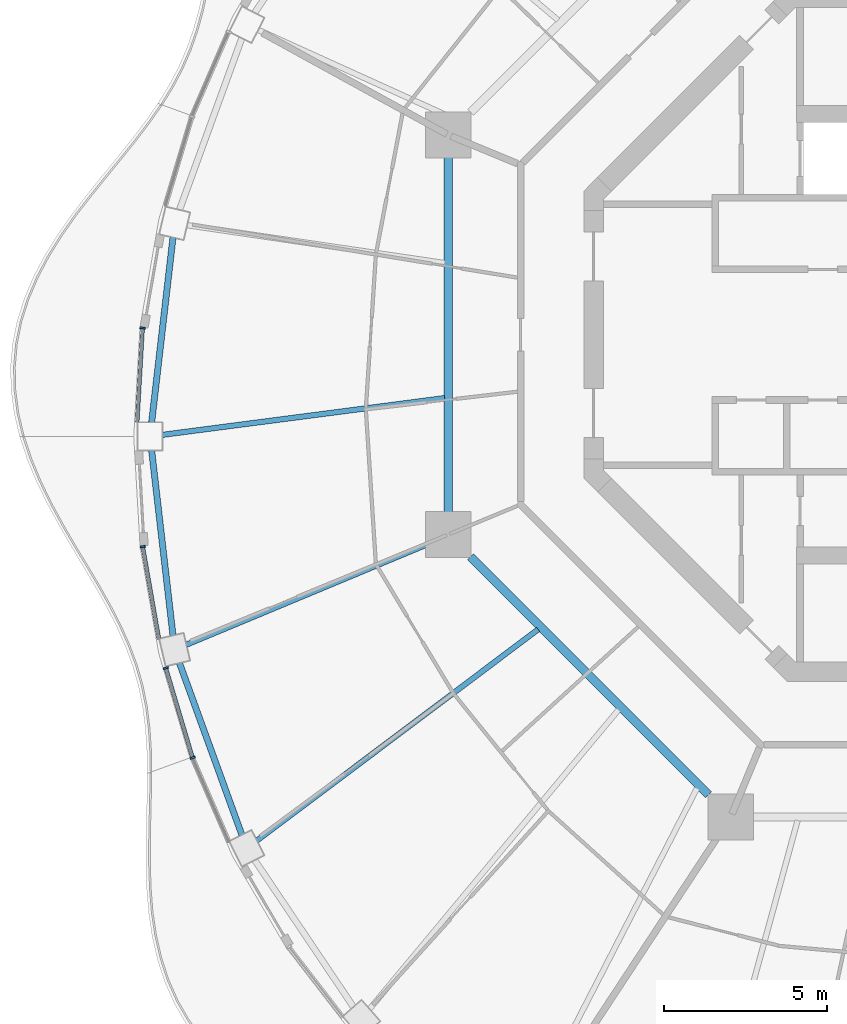
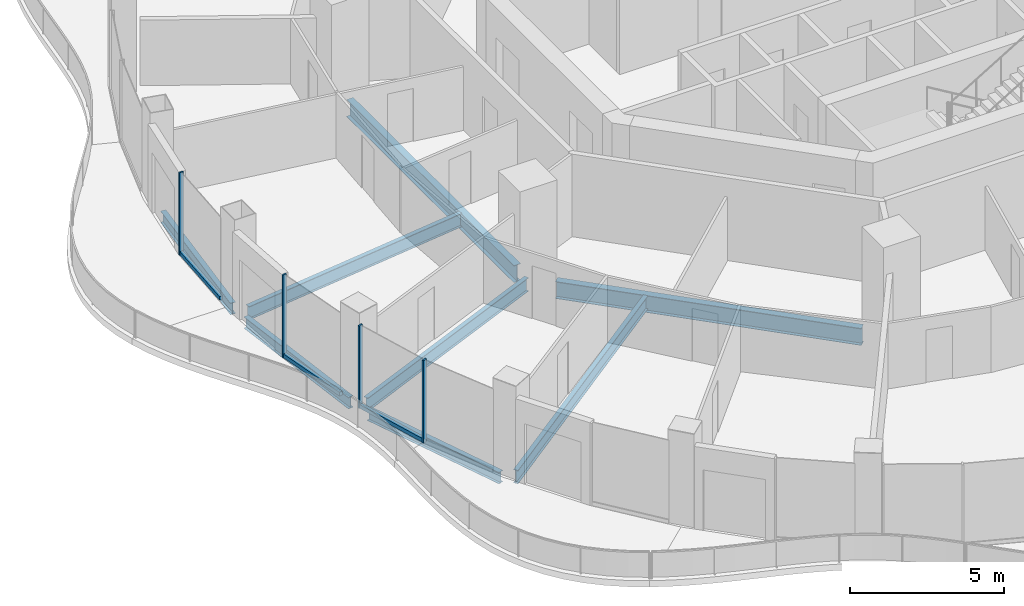
# One storey, part 3 of 17: 8 beams, 7 members, 4 elements without a shape of their own.
"""IFC4 building model written with IfcOpenShell, lengths in metres."""

from ifc_helpers import new_model, si_unit, direction, frame, origin, origin_2d, place, context, subcontext, project, spatial, rectangle, i_section, extrude, material, layer, layer_set, material_profile, profile_set, type_object, element, aggregate, save


model = new_model("IFC4")

# Units and contexts
model_context = context("Model", 3, precision=1e-05, world=origin(), true_north=direction((0.0, 1.0)))
body_context = subcontext(model_context, "Body", "Model", "MODEL_VIEW")
ifc_project = project(units=[si_unit("LENGTHUNIT", "METRE"), si_unit("AREAUNIT", "SQUARE_METRE"), si_unit("VOLUMEUNIT", "CUBIC_METRE"), si_unit("PLANEANGLEUNIT", "RADIAN"), si_unit("MASSUNIT", "GRAM", prefix="KILO")], contexts=[model_context])

# Site, building, storey
site_placement = place(None, origin())
site = spatial("IfcSite", under=ifc_project, at=site_placement, CompositionType="ELEMENT")
building_placement = place(site_placement, origin())
building = spatial("IfcBuilding", under=site, at=building_placement, Name="Nagisa Residences", CompositionType="ELEMENT")
storey_placement = place(building_placement, frame((0.0, 0.0, 295.5)))
storey = spatial("IfcBuildingStorey", under=building, at=storey_placement, Name="L75", CompositionType="ELEMENT", Elevation=295.5)

# Curtain wall, member
ifc_material_1 = material(Name="Concrete-coloured aluminium curtain wall system", Category="concrete")
ifc_layer = layer(ifc_material_1, 0.159912109375)
ifc_layer_set = layer_set([ifc_layer], Name="CW1 CURTAIN WALL")
curtain_wall_type = type_object("IfcCurtainWallType", Name="CW1 CURTAIN WALL", PredefinedType="NOTDEFINED", material=ifc_layer_set)
curtain_wall_1_placement = place(storey_placement, origin())
curtain_wall_1 = element("IfcCurtainWall", 1, at=curtain_wall_1_placement, inside=storey, type_object=curtain_wall_type, Name="cw:CW1:L75:23", PredefinedType="NOTDEFINED")
ifc_material_2 = material(Name="Concrete-coloured aluminium", Category="concrete")
ifc_material_profile_1 = material_profile(ifc_material_2, rectangle(XDim=0.159912109375, YDim=0.06005859375, at=origin_2d()), Name="CW1 MULLION 160x60")
ifc_profile_set_1 = profile_set([ifc_material_profile_1], Name="Concrete-coloured aluminium")
member_type_1 = type_object("IfcMemberType", Name="CW1 MULLION 160x60", PredefinedType="MULLION", material=ifc_profile_set_1)
member_1_placement = place(storey_placement, frame((-24.1484375, 0.20751953125, 0.0), z_axis=(0.0, 0.0, 1.0), x_axis=(0.998345305184, -0.057503492216, 0.0)))
member_1 = element("IfcMember", 2, at=member_1_placement, type_object=member_type_1, Name="CW1 mullion", PredefinedType="MULLION", context=body_context, shape_type="SweptSolid", body=[
    extrude(rectangle(XDim=0.159912109375, YDim=0.06005859375, at=origin_2d()), origin(), (0.0, 0.0, 1.0), 3.280029296875),
])

curtain_wall_2_placement = place(storey_placement, origin())
curtain_wall_2 = element("IfcCurtainWall", 3, at=curtain_wall_2_placement, inside=storey, type_object=curtain_wall_type, Name="cw:CW1:L75:25", PredefinedType="NOTDEFINED")
member_2_placement = place(storey_placement, frame((-24.142578125, -6.4931640625, 0.0), z_axis=(0.0, 0.0, 1.0), x_axis=(0.985063604377, 0.172190868898, 0.0)))
member_2 = element("IfcMember", 4, at=member_2_placement, type_object=member_type_1, Name="CW1 mullion", PredefinedType="MULLION", context=body_context, shape_type="SweptSolid", body=[
    extrude(rectangle(XDim=0.159912109375, YDim=0.06005859375, at=origin_2d()), origin(), (0.0, 0.0, 1.0), 3.280029296875),
])

curtain_wall_3_placement = place(storey_placement, origin())
curtain_wall_3 = element("IfcCurtainWall", 5, at=curtain_wall_3_placement, inside=storey, type_object=curtain_wall_type, Name="cw:CW1:L75:26", PredefinedType="NOTDEFINED")
member_3_placement = place(storey_placement, frame((-23.435302734375, -10.216796875, 0.0), z_axis=(0.0, 0.0, 1.0), x_axis=(0.958271310082, 0.285860274038, 0.0)))
member_3 = element("IfcMember", 6, at=member_3_placement, type_object=member_type_1, Name="CW1 mullion", PredefinedType="MULLION", context=body_context, shape_type="SweptSolid", body=[
    extrude(rectangle(XDim=0.159912109375, YDim=0.06005859375, at=origin_2d()), origin(), (0.0, 0.0, 1.0), 3.280029296875),
])

curtain_wall_4_placement = place(storey_placement, origin())
curtain_wall_4 = element("IfcCurtainWall", 7, at=curtain_wall_4_placement, inside=storey, type_object=curtain_wall_type, Name="cw:CW1:L75:27", PredefinedType="NOTDEFINED")
member_4_placement = place(storey_placement, frame((-22.61279296875, -12.963623046875, 0.0), z_axis=(0.0, 0.0, 1.0), x_axis=(0.917543276295, 0.397635934147, 0.0)))
member_4 = element("IfcMember", 8, at=member_4_placement, type_object=member_type_1, Name="CW1 mullion", PredefinedType="MULLION", context=body_context, shape_type="SweptSolid", body=[
    extrude(rectangle(XDim=0.159912109375, YDim=0.06005859375, at=origin_2d()), origin(), (0.0, 0.0, 1.0), 3.280029296875),
])
aggregate(curtain_wall_4, [member_4])

# Member
ifc_material_3 = material(Name="Concrete-coloured aluminium", Category="concrete")
ifc_material_profile_2 = material_profile(ifc_material_3, rectangle(XDim=0.1201171875, YDim=0.14990234375, at=origin_2d()), Name="CW1 TRANSOM 120x150")
ifc_profile_set_2 = profile_set([ifc_material_profile_2], Name="Concrete-coloured aluminium")
member_type_2 = type_object("IfcMemberType", Name="CW1 TRANSOM 120x150", PredefinedType="USERDEFINED", material=ifc_profile_set_2)
member_5_placement = place(storey_placement, frame((-24.146728515625, 0.237548828125, 0.074951171875), z_axis=(-0.057445660401, -0.998348634547, 0.0), x_axis=(0.998348634547, -0.057445660401, 0.0)))
member_5 = element("IfcMember", 9, at=member_5_placement, type_object=member_type_2, Name="CW1 transom", ObjectType="TRANSOM", PredefinedType="USERDEFINED", context=body_context, shape_type="SweptSolid", body=[
    extrude(rectangle(XDim=0.1201171875, YDim=0.14990234375, at=origin_2d()), origin(), (0.0, 0.0, 1.0), 2.91552734375),
])

aggregate(curtain_wall_1, [member_1, member_5])

member_6_placement = place(storey_placement, frame((-24.147705078125, -6.463623046875, 0.074951171875), z_axis=(0.172182411767, -0.985065082661, 0.0), x_axis=(0.985065082661, 0.172182411767, 0.0)))
member_6 = element("IfcMember", 10, at=member_6_placement, type_object=member_type_2, Name="CW1 transom", ObjectType="TRANSOM", PredefinedType="USERDEFINED", context=body_context, shape_type="SweptSolid", body=[
    extrude(rectangle(XDim=0.1201171875, YDim=0.14990234375, at=origin_2d()), origin(), (0.0, 0.0, 1.0), 2.902587890625),
])

aggregate(curtain_wall_2, [member_2, member_6])

member_7_placement = place(storey_placement, frame((-23.44384765625, -10.18798828125, 0.074951171875), z_axis=(0.285798286059, -0.958289799427, 0.0), x_axis=(0.958289799427, 0.285798286059, 0.0)))
member_7 = element("IfcMember", 11, at=member_7_placement, type_object=member_type_2, Name="CW1 transom", ObjectType="TRANSOM", PredefinedType="USERDEFINED", context=body_context, shape_type="SweptSolid", body=[
    extrude(rectangle(XDim=0.1201171875, YDim=0.14990234375, at=origin_2d()), origin(), (0.0, 0.0, 1.0), 2.877197265625),
])

aggregate(curtain_wall_3, [member_3, member_7])

# Beams
ifc_material_4 = material(Name="Steel ASTM A572 Gr 50", Category="steel")
ifc_material_profile_3 = material_profile(ifc_material_4, i_section(OverallWidth=0.2529296875, OverallDepth=0.677978515625, WebThickness=0.01171875, FlangeThickness=0.016357421875, at=origin_2d()), Name="W690x125")
ifc_profile_set_3 = profile_set([ifc_material_profile_3], Name="Steel ASTM A572 Gr 50")
beam_type_1 = type_object("IfcBeamType", Name="Inner ring beam W690x125", PredefinedType="BEAM", material=ifc_profile_set_3)
beam_1_placement = place(storey_placement, frame((-14.781982421875, 5.44287109375, -0.59912109375), z_axis=(0.0, -1.0, 0.0), x_axis=(1.0, 0.0, 0.0)))
element("IfcBeam", 12, at=beam_1_placement, inside=storey, type_object=beam_type_1, Name="beam:L75:ib4", PredefinedType="BEAM", context=body_context, shape_type="SweptSolid", body=[
    extrude(i_section(OverallWidth=0.2529296875, OverallDepth=0.677978515625, WebThickness=0.01171875, FlangeThickness=0.016357421875, at=origin_2d()), origin(), (0.0, 0.0, 1.0), 10.8857421875),
])
beam_2_placement = place(storey_placement, frame((-14.09619140625, -6.808837890625, -0.59912109375), z_axis=(0.707106781187, -0.707106781187, 0.0), x_axis=(0.707106781187, 0.707106781187, 0.0)))
element("IfcBeam", 13, at=beam_2_placement, inside=storey, type_object=beam_type_1, Name="beam:L75:ib5", PredefinedType="BEAM", context=body_context, shape_type="SweptSolid", body=[
    extrude(i_section(OverallWidth=0.2529296875, OverallDepth=0.677978515625, WebThickness=0.01171875, FlangeThickness=0.016357421875, at=origin_2d()), origin(), (0.0, 0.0, 1.0), 10.305908203125),
])
ifc_material_5 = material(Name="Steel ASTM A572 Gr 50", Category="steel")
ifc_material_profile_4 = material_profile(ifc_material_5, i_section(OverallWidth=0.18994140625, OverallDepth=0.45703125, WebThickness=0.009033203125, FlangeThickness=0.014404296875, at=origin_2d()), Name="W460x74")
ifc_profile_set_4 = profile_set([ifc_material_profile_4], Name="Steel ASTM A572 Gr 50")
beam_type_2 = type_object("IfcBeamType", Name="Perimeter ring beam W460x74", PredefinedType="BEAM", material=ifc_profile_set_4)
for number, where, z_axis, x_axis, name in (
    (14, (-23.2158203125, 2.984619140625, -0.488525390625), (-0.114635468623, -0.993407624962, 0.0), (0.993407624962, -0.114635468623, 0.0), "beam:L75:pb12"),
    (15, (-23.870361328125, -3.5478515625, -0.488525390625), (0.114635468623, -0.993407624962, 0.0), (0.993407624962, 0.114635468623, 0.0), "beam:L75:pb13"),
):
    element("IfcBeam", number, at=place(storey_placement, frame(where, z_axis=z_axis, x_axis=x_axis)), inside=storey, type_object=beam_type_2, Name=name, PredefinedType="BEAM", context=body_context, shape_type="SweptSolid", body=[
        extrude(i_section(OverallWidth=0.18994140625, OverallDepth=0.45703125, WebThickness=0.009033203125, FlangeThickness=0.014404296875, at=origin_2d()), origin(), (0.0, 0.0, 1.0), 5.709716796875),
    ])
beam_3_placement = place(storey_placement, frame((-23.0185546875, -10.057373046875, -0.488525390625), z_axis=(0.341250304478, -0.9399724622, 0.0), x_axis=(0.9399724622, 0.341250304478, 0.0)))
element("IfcBeam", 16, at=beam_3_placement, inside=storey, type_object=beam_type_2, Name="beam:L75:pb14", PredefinedType="BEAM", context=body_context, shape_type="SweptSolid", body=[
    extrude(i_section(OverallWidth=0.18994140625, OverallDepth=0.45703125, WebThickness=0.009033203125, FlangeThickness=0.014404296875, at=origin_2d()), origin(), (0.0, 0.0, 1.0), 5.609619140625),
])
ifc_material_6 = material(Name="Steel ASTM A572 Gr 50", Category="steel")
ifc_material_profile_5 = material_profile(ifc_material_6, i_section(OverallWidth=0.166015625, OverallDepth=0.534912109375, WebThickness=0.01025390625, FlangeThickness=0.0166015625, at=origin_2d()), Name="W530x85")
ifc_profile_set_5 = profile_set([ifc_material_profile_5], Name="Steel ASTM A572 Gr 50")
beam_type_3 = type_object("IfcBeamType", Name="Radial beam W530x85", PredefinedType="BEAM", material=ifc_profile_set_5)
beam_4_placement = place(storey_placement, frame((-23.539794921875, -3.068115234375, -0.527587890625), z_axis=(0.991614605292, 0.129230315994, 0.0), x_axis=(-0.129230315994, 0.991614605292, 0.0)))
element("IfcBeam", 17, at=beam_4_placement, inside=storey, type_object=beam_type_3, Name="beam:L75:rb13", PredefinedType="BEAM", context=body_context, shape_type="SweptSolid", body=[
    extrude(i_section(OverallWidth=0.166015625, OverallDepth=0.534912109375, WebThickness=0.01025390625, FlangeThickness=0.0166015625, at=origin_2d()), origin(), (0.0, 0.0, 1.0), 8.724365234375),
])
beam_5_placement = place(storey_placement, frame((-22.810546875, -9.502197265625, -0.527587890625), z_axis=(0.92310713136, 0.384542876716, 0.0), x_axis=(-0.384542876716, 0.92310713136, 0.0)))
element("IfcBeam", 18, at=beam_5_placement, inside=storey, type_object=beam_type_3, Name="beam:L75:rb14", PredefinedType="BEAM", context=body_context, shape_type="SweptSolid", body=[
    extrude(i_section(OverallWidth=0.166015625, OverallDepth=0.534912109375, WebThickness=0.01025390625, FlangeThickness=0.0166015625, at=origin_2d()), origin(), (0.0, 0.0, 1.0), 8.607177734375),
])
beam_6_placement = place(storey_placement, frame((-20.647705078125, -15.505859375, -0.527587890625), z_axis=(0.799616749037, 0.600510661571, 0.0), x_axis=(-0.600510661571, 0.799616749037, 0.0)))
element("IfcBeam", 19, at=beam_6_placement, inside=storey, type_object=beam_type_3, Name="beam:L75:rb15", PredefinedType="BEAM", context=body_context, shape_type="SweptSolid", body=[
    extrude(i_section(OverallWidth=0.166015625, OverallDepth=0.534912109375, WebThickness=0.01025390625, FlangeThickness=0.0166015625, at=origin_2d()), origin(), (0.0, 0.0, 1.0), 10.782958984375),
])

save(model, "model.ifc")
